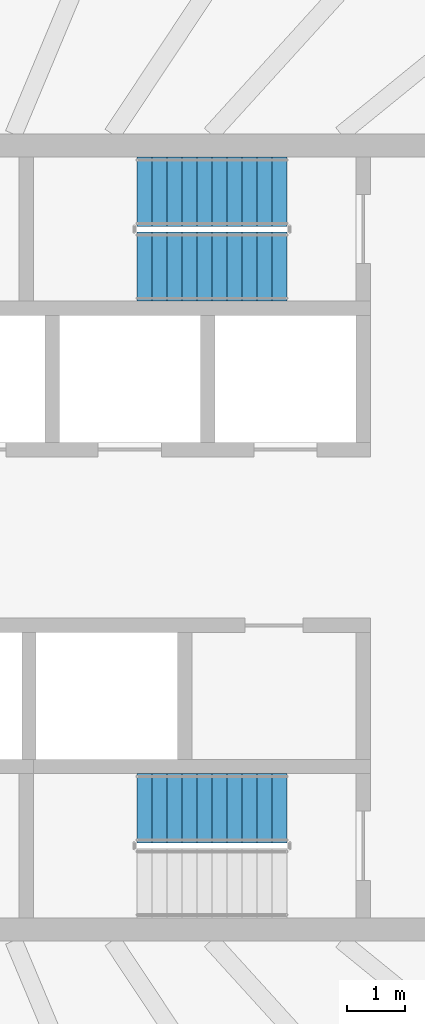
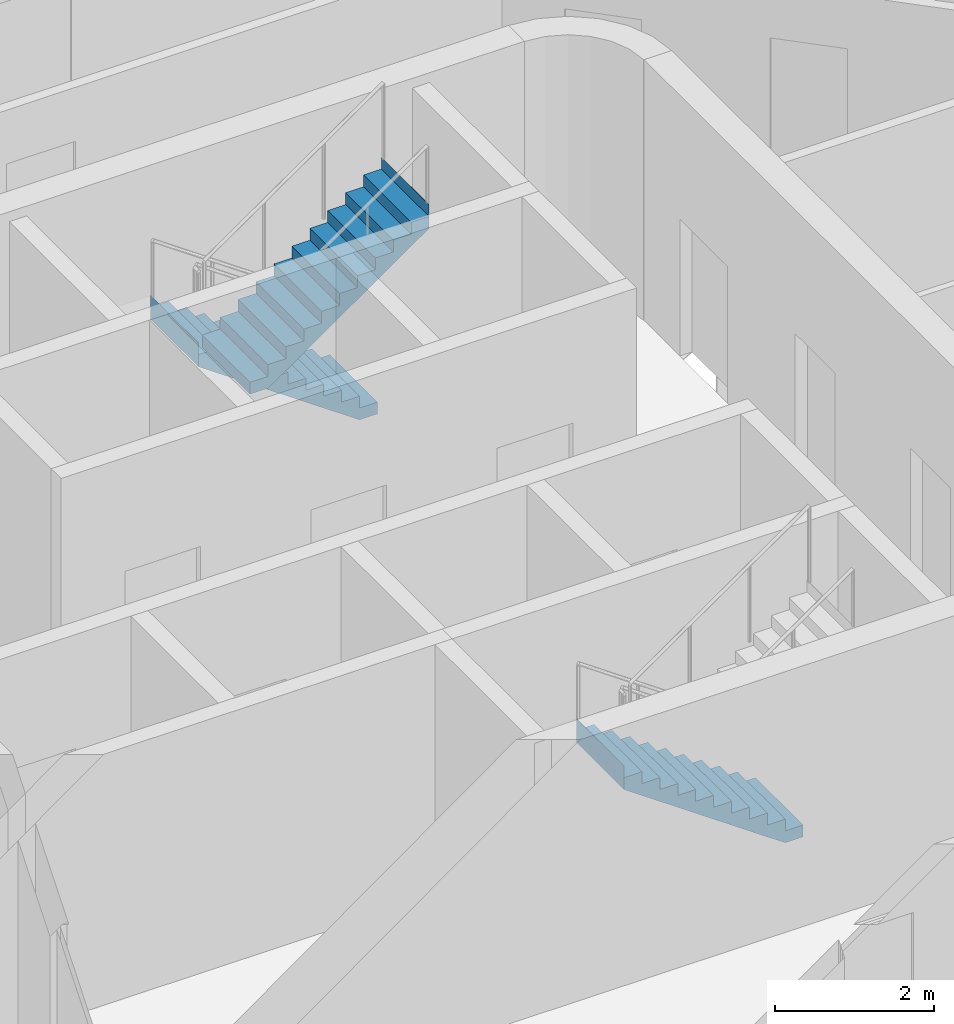
# One storey, part 16 of 22: 3 stair flights, 2 elements without a shape of their own.
"""IFC4 building model written with IfcOpenShell, lengths in metres."""

from ifc_helpers import new_model, si_unit, direction, frame, origin, place, context, subcontext, project, spatial, triangles, material, type_object, element, aggregate, save


model = new_model("IFC4")

# Units and contexts
model_context = context("Model", 3, precision=1e-05, world=origin(), true_north=direction((0.0, 1.0)))
body_context = subcontext(model_context, "Body", "Model", "MODEL_VIEW")
ifc_project = project(units=[si_unit("LENGTHUNIT", "METRE"), si_unit("AREAUNIT", "SQUARE_METRE"), si_unit("VOLUMEUNIT", "CUBIC_METRE"), si_unit("PLANEANGLEUNIT", "RADIAN"), si_unit("MASSUNIT", "GRAM", prefix="KILO")], contexts=[model_context])

# Site, building, storey
site_placement = place(None, origin())
site = spatial("IfcSite", under=ifc_project, at=site_placement, CompositionType="ELEMENT")
building_placement = place(site_placement, origin())
building = spatial("IfcBuilding", under=site, at=building_placement, Name="Sahrelin Media Tower", CompositionType="ELEMENT")
storey_placement = place(building_placement, frame((0.0, 0.0, 283.0)))
storey = spatial("IfcBuildingStorey", under=building, at=storey_placement, Name="L62", CompositionType="ELEMENT", Elevation=283.0)

# Stair, stair flights
ifc_material = material(Name="Concrete C40/50", Category="concrete")
stair_type = type_object("IfcStairType", Name="Exit stair 1200", PredefinedType="HALF_TURN_STAIR", material=ifc_material)
placement = place(storey_placement, origin())
stair_1 = element("IfcStair", 1, at=placement, inside=storey, type_object=stair_type, Name="L62 Exit stair ST3", PredefinedType="HALF_TURN_STAIR")
stair_flight_type = type_object("IfcStairFlightType", Name="Stair flight 1200", PredefinedType="STRAIGHT", material=ifc_material)
stair_flight_1_placement = place(storey_placement, frame((7.675048828125, 6.0, 0.0), z_axis=(0.0, 0.0, 1.0), x_axis=(-1.0, 0.0, 0.0)))
stair_flight_1 = element("IfcStairFlight", 2, at=stair_flight_1_placement, type_object=stair_flight_type, Name="ST3 flight 1", NumberOfRisers=11, NumberOfTreads=10, PredefinedType="STRAIGHT", RiserHeight=0.181818182, TreadLength=0.26, context=body_context, shape_type="Tessellation", body=[
    triangles([(0.261474609375, 0.60009765625, 0.0), (0.261474609375, 0.300048828125, 0.0), (0.261474609375, 0.0, 0.0), (0.261474609375, -0.300048828125, 0.0), (0.261474609375, -0.60009765625, 0.0), (2.60009765625, 0.60009765625, 1.63525390625), (2.60009765625, 0.300048828125, 1.63525390625), (2.60009765625, 0.0, 1.63525390625), (2.60009765625, -0.300048828125, 1.63525390625), (2.60009765625, -0.60009765625, 1.63525390625), (2.60009765625, 0.60009765625, 2.0), (2.60009765625, 0.300048828125, 2.0), (2.60009765625, 0.0, 2.0), (2.60009765625, -0.300048828125, 2.0), (2.60009765625, -0.60009765625, 2.0), (2.597900390625, 0.60009765625, 2.0), (2.597900390625, 0.300048828125, 2.0), (2.597900390625, 0.0, 2.0), (2.597900390625, -0.300048828125, 2.0), (2.597900390625, -0.60009765625, 2.0), (2.597900390625, 0.60009765625, 1.818115234375), (2.597900390625, 0.300048828125, 1.818115234375), (2.597900390625, 0.0, 1.818115234375), (2.597900390625, -0.300048828125, 1.818115234375), (2.597900390625, -0.60009765625, 1.818115234375), (2.340087890625, 0.60009765625, 1.818115234375), (2.340087890625, 0.300048828125, 1.818115234375), (2.340087890625, 0.0, 1.818115234375), (2.340087890625, -0.300048828125, 1.818115234375), (2.340087890625, -0.60009765625, 1.818115234375), (2.340087890625, 0.60009765625, 1.636474609375), (2.340087890625, 0.300048828125, 1.636474609375), (2.340087890625, 0.0, 1.636474609375), (2.340087890625, -0.300048828125, 1.636474609375), (2.340087890625, -0.60009765625, 1.636474609375), (2.080078125, 0.60009765625, 1.636474609375), (2.080078125, 0.300048828125, 1.636474609375), (2.080078125, 0.0, 1.636474609375), (2.080078125, -0.300048828125, 1.636474609375), (2.080078125, -0.60009765625, 1.636474609375), (2.080078125, 0.60009765625, 1.45458984375), (2.080078125, 0.300048828125, 1.45458984375), (2.080078125, 0.0, 1.45458984375), (2.080078125, -0.300048828125, 1.45458984375), (2.080078125, -0.60009765625, 1.45458984375), (1.820068359375, 0.60009765625, 1.45458984375), (1.820068359375, 0.300048828125, 1.45458984375), (1.820068359375, 0.0, 1.45458984375), (1.820068359375, -0.300048828125, 1.45458984375), (1.820068359375, -0.60009765625, 1.45458984375), (1.820068359375, 0.60009765625, 1.272705078125), (1.820068359375, 0.300048828125, 1.272705078125), (1.820068359375, 0.0, 1.272705078125), (1.820068359375, -0.300048828125, 1.272705078125), (1.820068359375, -0.60009765625, 1.272705078125), (1.56005859375, 0.60009765625, 1.272705078125), (1.56005859375, 0.300048828125, 1.272705078125), (1.56005859375, 0.0, 1.272705078125), (1.56005859375, -0.300048828125, 1.272705078125), (1.56005859375, -0.60009765625, 1.272705078125), (1.56005859375, 0.60009765625, 1.0908203125), (1.56005859375, 0.300048828125, 1.0908203125), (1.56005859375, 0.0, 1.0908203125), (1.56005859375, -0.300048828125, 1.0908203125), (1.56005859375, -0.60009765625, 1.0908203125), (1.300048828125, 0.60009765625, 1.0908203125), (1.300048828125, 0.300048828125, 1.0908203125), (1.300048828125, 0.0, 1.0908203125), (1.300048828125, -0.300048828125, 1.0908203125), (1.300048828125, -0.60009765625, 1.0908203125), (1.300048828125, 0.60009765625, 0.9091796875), (1.300048828125, 0.300048828125, 0.9091796875), (1.300048828125, 0.0, 0.9091796875), (1.300048828125, -0.300048828125, 0.9091796875), (1.300048828125, -0.60009765625, 0.9091796875), (1.0400390625, 0.60009765625, 0.9091796875), (1.0400390625, 0.300048828125, 0.9091796875), (1.0400390625, 0.0, 0.9091796875), (1.0400390625, -0.300048828125, 0.9091796875), (1.0400390625, -0.60009765625, 0.9091796875), (1.0400390625, 0.60009765625, 0.727294921875), (1.0400390625, 0.300048828125, 0.727294921875), (1.0400390625, 0.0, 0.727294921875), (1.0400390625, -0.300048828125, 0.727294921875), (1.0400390625, -0.60009765625, 0.727294921875), (0.780029296875, 0.60009765625, 0.727294921875), (0.780029296875, 0.300048828125, 0.727294921875), (0.780029296875, 0.0, 0.727294921875), (0.780029296875, -0.300048828125, 0.727294921875), (0.780029296875, -0.60009765625, 0.727294921875), (0.780029296875, 0.60009765625, 0.54541015625), (0.780029296875, 0.300048828125, 0.54541015625), (0.780029296875, 0.0, 0.54541015625), (0.780029296875, -0.300048828125, 0.54541015625), (0.780029296875, -0.60009765625, 0.54541015625), (0.52001953125, 0.60009765625, 0.54541015625), (0.52001953125, 0.300048828125, 0.54541015625), (0.52001953125, 0.0, 0.54541015625), (0.52001953125, -0.300048828125, 0.54541015625), (0.52001953125, -0.60009765625, 0.54541015625), (0.52001953125, 0.60009765625, 0.363525390625), (0.52001953125, 0.300048828125, 0.363525390625), (0.52001953125, 0.0, 0.363525390625), (0.52001953125, -0.300048828125, 0.363525390625), (0.52001953125, -0.60009765625, 0.363525390625), (0.260009765625, 0.60009765625, 0.363525390625), (0.260009765625, 0.300048828125, 0.363525390625), (0.260009765625, 0.0, 0.363525390625), (0.260009765625, -0.300048828125, 0.363525390625), (0.260009765625, -0.60009765625, 0.363525390625), (0.260009765625, 0.60009765625, 0.181884765625), (0.260009765625, 0.300048828125, 0.181884765625), (0.260009765625, 0.0, 0.181884765625), (0.260009765625, -0.300048828125, 0.181884765625), (0.260009765625, -0.60009765625, 0.181884765625), (0.0, 0.60009765625, 0.181884765625), (0.0, 0.300048828125, 0.181884765625), (0.0, 0.0, 0.181884765625), (0.0, -0.300048828125, 0.181884765625), (0.0, -0.60009765625, 0.181884765625), (0.0, 0.60009765625, 0.0), (0.0, 0.300048828125, 0.0), (0.0, 0.0, 0.0), (0.0, -0.300048828125, 0.0), (0.0, -0.60009765625, 0.0)], [[1, 6, 7], [1, 7, 2], [2, 7, 8], [2, 8, 3], [3, 8, 9], [3, 9, 4], [4, 9, 10], [4, 10, 5], [6, 11, 12], [6, 12, 7], [7, 12, 13], [7, 13, 8], [8, 13, 14], [8, 14, 9], [9, 14, 15], [9, 15, 10], [11, 16, 17], [11, 17, 12], [12, 17, 18], [12, 18, 13], [13, 18, 19], [13, 19, 14], [14, 19, 20], [14, 20, 15], [16, 21, 22], [16, 22, 17], [17, 22, 23], [17, 23, 18], [18, 23, 24], [18, 24, 19], [19, 24, 25], [19, 25, 20], [21, 26, 27], [21, 27, 22], [22, 27, 28], [22, 28, 23], [23, 28, 29], [23, 29, 24], [24, 29, 30], [24, 30, 25], [26, 31, 32], [26, 32, 27], [27, 32, 33], [27, 33, 28], [28, 33, 34], [28, 34, 29], [29, 34, 35], [29, 35, 30], [31, 36, 37], [31, 37, 32], [32, 37, 38], [32, 38, 33], [33, 38, 39], [33, 39, 34], [34, 39, 40], [34, 40, 35], [36, 41, 42], [36, 42, 37], [37, 42, 43], [37, 43, 38], [38, 43, 44], [38, 44, 39], [39, 44, 45], [39, 45, 40], [41, 46, 47], [41, 47, 42], [42, 47, 48], [42, 48, 43], [43, 48, 49], [43, 49, 44], [44, 49, 50], [44, 50, 45], [46, 51, 52], [46, 52, 47], [47, 52, 53], [47, 53, 48], [48, 53, 54], [48, 54, 49], [49, 54, 55], [49, 55, 50], [51, 56, 57], [51, 57, 52], [52, 57, 58], [52, 58, 53], [53, 58, 59], [53, 59, 54], [54, 59, 60], [54, 60, 55], [56, 61, 62], [56, 62, 57], [57, 62, 63], [57, 63, 58], [58, 63, 64], [58, 64, 59], [59, 64, 65], [59, 65, 60], [61, 66, 67], [61, 67, 62], [62, 67, 68], [62, 68, 63], [63, 68, 69], [63, 69, 64], [64, 69, 70], [64, 70, 65], [66, 71, 72], [66, 72, 67], [67, 72, 73], [67, 73, 68], [68, 73, 74], [68, 74, 69], [69, 74, 75], [69, 75, 70], [71, 76, 77], [71, 77, 72], [72, 77, 78], [72, 78, 73], [73, 78, 79], [73, 79, 74], [74, 79, 80], [74, 80, 75], [76, 81, 82], [76, 82, 77], [77, 82, 83], [77, 83, 78], [78, 83, 84], [78, 84, 79], [79, 84, 85], [79, 85, 80], [81, 86, 87], [81, 87, 82], [82, 87, 88], [82, 88, 83], [83, 88, 89], [83, 89, 84], [84, 89, 90], [84, 90, 85], [86, 91, 92], [86, 92, 87], [87, 92, 93], [87, 93, 88], [88, 93, 94], [88, 94, 89], [89, 94, 95], [89, 95, 90], [91, 96, 97], [91, 97, 92], [92, 97, 98], [92, 98, 93], [93, 98, 99], [93, 99, 94], [94, 99, 100], [94, 100, 95], [96, 101, 102], [96, 102, 97], [97, 102, 103], [97, 103, 98], [98, 103, 104], [98, 104, 99], [99, 104, 105], [99, 105, 100], [101, 106, 107], [101, 107, 102], [102, 107, 108], [102, 108, 103], [103, 108, 109], [103, 109, 104], [104, 109, 110], [104, 110, 105], [106, 111, 112], [106, 112, 107], [107, 112, 113], [107, 113, 108], [108, 113, 114], [108, 114, 109], [109, 114, 115], [109, 115, 110], [111, 116, 117], [111, 117, 112], [112, 117, 118], [112, 118, 113], [113, 118, 119], [113, 119, 114], [114, 119, 120], [114, 120, 115], [116, 121, 122], [116, 122, 117], [117, 122, 123], [117, 123, 118], [118, 123, 124], [118, 124, 119], [119, 124, 125], [119, 125, 120], [121, 1, 2], [121, 2, 122], [122, 2, 3], [122, 3, 123], [123, 3, 4], [123, 4, 124], [124, 4, 5], [124, 5, 125], [115, 120, 125], [111, 121, 116], [115, 105, 110], [111, 106, 101], [105, 95, 100], [101, 96, 91], [95, 85, 90], [91, 86, 81], [85, 75, 80], [81, 76, 71], [75, 65, 70], [71, 66, 61], [65, 55, 60], [61, 56, 51], [55, 45, 50], [51, 46, 41], [45, 35, 40], [41, 36, 31], [35, 25, 30], [31, 26, 21], [25, 15, 20], [21, 16, 11], [125, 5, 115], [121, 111, 1], [25, 10, 15], [21, 11, 6], [105, 115, 5], [101, 1, 111], [35, 10, 25], [31, 21, 6], [95, 105, 5], [91, 1, 101], [45, 10, 35], [41, 31, 6], [85, 95, 5], [81, 1, 91], [55, 10, 45], [51, 41, 6], [75, 85, 5], [71, 1, 81], [65, 10, 55], [61, 51, 6], [5, 10, 75], [1, 71, 6], [75, 10, 65], [71, 61, 6]], closed=True),
])
stair_flight_2_placement = place(storey_placement, frame((5.074951171875, 4.699951171875, 2.0), z_axis=(0.0, 0.0, 1.0), x_axis=(1.0, 0.0, 0.0)))
stair_flight_2 = element("IfcStairFlight", 3, at=stair_flight_2_placement, type_object=stair_flight_type, Name="ST3 flight 2", NumberOfRisers=11, NumberOfTreads=10, PredefinedType="STRAIGHT", RiserHeight=0.181818182, TreadLength=0.26, context=body_context, shape_type="Tessellation", body=[
    triangles([(0.261474609375, 0.60009765625, 0.0), (0.261474609375, 0.300048828125, 0.0), (0.261474609375, 0.0, 0.0), (0.261474609375, -0.300048828125, 0.0), (0.261474609375, -0.60009765625, 0.0), (2.60009765625, 0.60009765625, 1.63525390625), (2.60009765625, 0.300048828125, 1.63525390625), (2.60009765625, 0.0, 1.63525390625), (2.60009765625, -0.300048828125, 1.63525390625), (2.60009765625, -0.60009765625, 1.63525390625), (2.60009765625, 0.60009765625, 2.0), (2.60009765625, 0.300048828125, 2.0), (2.60009765625, 0.0, 2.0), (2.60009765625, -0.300048828125, 2.0), (2.60009765625, -0.60009765625, 2.0), (2.597900390625, 0.60009765625, 2.0), (2.597900390625, 0.300048828125, 2.0), (2.597900390625, 0.0, 2.0), (2.597900390625, -0.300048828125, 2.0), (2.597900390625, -0.60009765625, 2.0), (2.597900390625, 0.60009765625, 1.818115234375), (2.597900390625, 0.300048828125, 1.818115234375), (2.597900390625, 0.0, 1.818115234375), (2.597900390625, -0.300048828125, 1.818115234375), (2.597900390625, -0.60009765625, 1.818115234375), (2.340087890625, 0.60009765625, 1.818115234375), (2.340087890625, 0.300048828125, 1.818115234375), (2.340087890625, 0.0, 1.818115234375), (2.340087890625, -0.300048828125, 1.818115234375), (2.340087890625, -0.60009765625, 1.818115234375), (2.340087890625, 0.60009765625, 1.636474609375), (2.340087890625, 0.300048828125, 1.636474609375), (2.340087890625, 0.0, 1.636474609375), (2.340087890625, -0.300048828125, 1.636474609375), (2.340087890625, -0.60009765625, 1.636474609375), (2.080078125, 0.60009765625, 1.636474609375), (2.080078125, 0.300048828125, 1.636474609375), (2.080078125, 0.0, 1.636474609375), (2.080078125, -0.300048828125, 1.636474609375), (2.080078125, -0.60009765625, 1.636474609375), (2.080078125, 0.60009765625, 1.45458984375), (2.080078125, 0.300048828125, 1.45458984375), (2.080078125, 0.0, 1.45458984375), (2.080078125, -0.300048828125, 1.45458984375), (2.080078125, -0.60009765625, 1.45458984375), (1.820068359375, 0.60009765625, 1.45458984375), (1.820068359375, 0.300048828125, 1.45458984375), (1.820068359375, 0.0, 1.45458984375), (1.820068359375, -0.300048828125, 1.45458984375), (1.820068359375, -0.60009765625, 1.45458984375), (1.820068359375, 0.60009765625, 1.272705078125), (1.820068359375, 0.300048828125, 1.272705078125), (1.820068359375, 0.0, 1.272705078125), (1.820068359375, -0.300048828125, 1.272705078125), (1.820068359375, -0.60009765625, 1.272705078125), (1.56005859375, 0.60009765625, 1.272705078125), (1.56005859375, 0.300048828125, 1.272705078125), (1.56005859375, 0.0, 1.272705078125), (1.56005859375, -0.300048828125, 1.272705078125), (1.56005859375, -0.60009765625, 1.272705078125), (1.56005859375, 0.60009765625, 1.0908203125), (1.56005859375, 0.300048828125, 1.0908203125), (1.56005859375, 0.0, 1.0908203125), (1.56005859375, -0.300048828125, 1.0908203125), (1.56005859375, -0.60009765625, 1.0908203125), (1.300048828125, 0.60009765625, 1.0908203125), (1.300048828125, 0.300048828125, 1.0908203125), (1.300048828125, 0.0, 1.0908203125), (1.300048828125, -0.300048828125, 1.0908203125), (1.300048828125, -0.60009765625, 1.0908203125), (1.300048828125, 0.60009765625, 0.9091796875), (1.300048828125, 0.300048828125, 0.9091796875), (1.300048828125, 0.0, 0.9091796875), (1.300048828125, -0.300048828125, 0.9091796875), (1.300048828125, -0.60009765625, 0.9091796875), (1.0400390625, 0.60009765625, 0.9091796875), (1.0400390625, 0.300048828125, 0.9091796875), (1.0400390625, 0.0, 0.9091796875), (1.0400390625, -0.300048828125, 0.9091796875), (1.0400390625, -0.60009765625, 0.9091796875), (1.0400390625, 0.60009765625, 0.727294921875), (1.0400390625, 0.300048828125, 0.727294921875), (1.0400390625, 0.0, 0.727294921875), (1.0400390625, -0.300048828125, 0.727294921875), (1.0400390625, -0.60009765625, 0.727294921875), (0.780029296875, 0.60009765625, 0.727294921875), (0.780029296875, 0.300048828125, 0.727294921875), (0.780029296875, 0.0, 0.727294921875), (0.780029296875, -0.300048828125, 0.727294921875), (0.780029296875, -0.60009765625, 0.727294921875), (0.780029296875, 0.60009765625, 0.54541015625), (0.780029296875, 0.300048828125, 0.54541015625), (0.780029296875, 0.0, 0.54541015625), (0.780029296875, -0.300048828125, 0.54541015625), (0.780029296875, -0.60009765625, 0.54541015625), (0.52001953125, 0.60009765625, 0.54541015625), (0.52001953125, 0.300048828125, 0.54541015625), (0.52001953125, 0.0, 0.54541015625), (0.52001953125, -0.300048828125, 0.54541015625), (0.52001953125, -0.60009765625, 0.54541015625), (0.52001953125, 0.60009765625, 0.363525390625), (0.52001953125, 0.300048828125, 0.363525390625), (0.52001953125, 0.0, 0.363525390625), (0.52001953125, -0.300048828125, 0.363525390625), (0.52001953125, -0.60009765625, 0.363525390625), (0.260009765625, 0.60009765625, 0.363525390625), (0.260009765625, 0.300048828125, 0.363525390625), (0.260009765625, 0.0, 0.363525390625), (0.260009765625, -0.300048828125, 0.363525390625), (0.260009765625, -0.60009765625, 0.363525390625), (0.260009765625, 0.60009765625, 0.181884765625), (0.260009765625, 0.300048828125, 0.181884765625), (0.260009765625, 0.0, 0.181884765625), (0.260009765625, -0.300048828125, 0.181884765625), (0.260009765625, -0.60009765625, 0.181884765625), (0.0, 0.60009765625, 0.181884765625), (0.0, 0.300048828125, 0.181884765625), (0.0, 0.0, 0.181884765625), (0.0, -0.300048828125, 0.181884765625), (0.0, -0.60009765625, 0.181884765625), (0.0, 0.60009765625, 0.0), (0.0, 0.300048828125, 0.0), (0.0, 0.0, 0.0), (0.0, -0.300048828125, 0.0), (0.0, -0.60009765625, 0.0)], [[1, 6, 7], [1, 7, 2], [2, 7, 8], [2, 8, 3], [3, 8, 9], [3, 9, 4], [4, 9, 10], [4, 10, 5], [6, 11, 12], [6, 12, 7], [7, 12, 13], [7, 13, 8], [8, 13, 14], [8, 14, 9], [9, 14, 15], [9, 15, 10], [11, 16, 17], [11, 17, 12], [12, 17, 18], [12, 18, 13], [13, 18, 19], [13, 19, 14], [14, 19, 20], [14, 20, 15], [16, 21, 22], [16, 22, 17], [17, 22, 23], [17, 23, 18], [18, 23, 24], [18, 24, 19], [19, 24, 25], [19, 25, 20], [21, 26, 27], [21, 27, 22], [22, 27, 28], [22, 28, 23], [23, 28, 29], [23, 29, 24], [24, 29, 30], [24, 30, 25], [26, 31, 32], [26, 32, 27], [27, 32, 33], [27, 33, 28], [28, 33, 34], [28, 34, 29], [29, 34, 35], [29, 35, 30], [31, 36, 37], [31, 37, 32], [32, 37, 38], [32, 38, 33], [33, 38, 39], [33, 39, 34], [34, 39, 40], [34, 40, 35], [36, 41, 42], [36, 42, 37], [37, 42, 43], [37, 43, 38], [38, 43, 44], [38, 44, 39], [39, 44, 45], [39, 45, 40], [41, 46, 47], [41, 47, 42], [42, 47, 48], [42, 48, 43], [43, 48, 49], [43, 49, 44], [44, 49, 50], [44, 50, 45], [46, 51, 52], [46, 52, 47], [47, 52, 53], [47, 53, 48], [48, 53, 54], [48, 54, 49], [49, 54, 55], [49, 55, 50], [51, 56, 57], [51, 57, 52], [52, 57, 58], [52, 58, 53], [53, 58, 59], [53, 59, 54], [54, 59, 60], [54, 60, 55], [56, 61, 62], [56, 62, 57], [57, 62, 63], [57, 63, 58], [58, 63, 64], [58, 64, 59], [59, 64, 65], [59, 65, 60], [61, 66, 67], [61, 67, 62], [62, 67, 68], [62, 68, 63], [63, 68, 69], [63, 69, 64], [64, 69, 70], [64, 70, 65], [66, 71, 72], [66, 72, 67], [67, 72, 73], [67, 73, 68], [68, 73, 74], [68, 74, 69], [69, 74, 75], [69, 75, 70], [71, 76, 77], [71, 77, 72], [72, 77, 78], [72, 78, 73], [73, 78, 79], [73, 79, 74], [74, 79, 80], [74, 80, 75], [76, 81, 82], [76, 82, 77], [77, 82, 83], [77, 83, 78], [78, 83, 84], [78, 84, 79], [79, 84, 85], [79, 85, 80], [81, 86, 87], [81, 87, 82], [82, 87, 88], [82, 88, 83], [83, 88, 89], [83, 89, 84], [84, 89, 90], [84, 90, 85], [86, 91, 92], [86, 92, 87], [87, 92, 93], [87, 93, 88], [88, 93, 94], [88, 94, 89], [89, 94, 95], [89, 95, 90], [91, 96, 97], [91, 97, 92], [92, 97, 98], [92, 98, 93], [93, 98, 99], [93, 99, 94], [94, 99, 100], [94, 100, 95], [96, 101, 102], [96, 102, 97], [97, 102, 103], [97, 103, 98], [98, 103, 104], [98, 104, 99], [99, 104, 105], [99, 105, 100], [101, 106, 107], [101, 107, 102], [102, 107, 108], [102, 108, 103], [103, 108, 109], [103, 109, 104], [104, 109, 110], [104, 110, 105], [106, 111, 112], [106, 112, 107], [107, 112, 113], [107, 113, 108], [108, 113, 114], [108, 114, 109], [109, 114, 115], [109, 115, 110], [111, 116, 117], [111, 117, 112], [112, 117, 118], [112, 118, 113], [113, 118, 119], [113, 119, 114], [114, 119, 120], [114, 120, 115], [116, 121, 122], [116, 122, 117], [117, 122, 123], [117, 123, 118], [118, 123, 124], [118, 124, 119], [119, 124, 125], [119, 125, 120], [121, 1, 2], [121, 2, 122], [122, 2, 3], [122, 3, 123], [123, 3, 4], [123, 4, 124], [124, 4, 5], [124, 5, 125], [115, 120, 125], [111, 121, 116], [115, 105, 110], [111, 106, 101], [105, 95, 100], [101, 96, 91], [95, 85, 90], [91, 86, 81], [85, 75, 80], [81, 76, 71], [75, 65, 70], [71, 66, 61], [65, 55, 60], [61, 56, 51], [55, 45, 50], [51, 46, 41], [45, 35, 40], [41, 36, 31], [35, 25, 30], [31, 26, 21], [25, 15, 20], [21, 16, 11], [125, 5, 115], [121, 111, 1], [25, 10, 15], [21, 11, 6], [105, 115, 5], [101, 1, 111], [35, 10, 25], [31, 21, 6], [95, 105, 5], [91, 1, 101], [45, 10, 35], [41, 31, 6], [85, 95, 5], [81, 1, 91], [55, 10, 45], [51, 41, 6], [75, 85, 5], [71, 1, 81], [65, 10, 55], [61, 51, 6], [5, 10, 75], [1, 71, 6], [75, 10, 65], [71, 61, 6]], closed=True),
])
aggregate(stair_1, [stair_flight_1, stair_flight_2])

# Stair, stair flight
stair_2 = element("IfcStair", 4, at=placement, inside=storey, type_object=stair_type, Name="L62 Exit stair ST2", PredefinedType="HALF_TURN_STAIR")
stair_flight_3_placement = place(storey_placement, frame((7.675048828125, -4.699951171875, 0.0), z_axis=(0.0, 0.0, 1.0), x_axis=(-1.0, 0.0, 0.0)))
stair_flight_3 = element("IfcStairFlight", 5, at=stair_flight_3_placement, type_object=stair_flight_type, Name="ST2 flight 1", NumberOfRisers=11, NumberOfTreads=10, PredefinedType="STRAIGHT", RiserHeight=0.181818182, TreadLength=0.26, context=body_context, shape_type="Tessellation", body=[
    triangles([(0.261474609375, 0.60009765625, 0.0), (0.261474609375, 0.300048828125, 0.0), (0.261474609375, 0.0, 0.0), (0.261474609375, -0.300048828125, 0.0), (0.261474609375, -0.60009765625, 0.0), (2.60009765625, 0.60009765625, 1.63525390625), (2.60009765625, 0.300048828125, 1.63525390625), (2.60009765625, 0.0, 1.63525390625), (2.60009765625, -0.300048828125, 1.63525390625), (2.60009765625, -0.60009765625, 1.63525390625), (2.60009765625, 0.60009765625, 2.0), (2.60009765625, 0.300048828125, 2.0), (2.60009765625, 0.0, 2.0), (2.60009765625, -0.300048828125, 2.0), (2.60009765625, -0.60009765625, 2.0), (2.597900390625, 0.60009765625, 2.0), (2.597900390625, 0.300048828125, 2.0), (2.597900390625, 0.0, 2.0), (2.597900390625, -0.300048828125, 2.0), (2.597900390625, -0.60009765625, 2.0), (2.597900390625, 0.60009765625, 1.818115234375), (2.597900390625, 0.300048828125, 1.818115234375), (2.597900390625, 0.0, 1.818115234375), (2.597900390625, -0.300048828125, 1.818115234375), (2.597900390625, -0.60009765625, 1.818115234375), (2.340087890625, 0.60009765625, 1.818115234375), (2.340087890625, 0.300048828125, 1.818115234375), (2.340087890625, 0.0, 1.818115234375), (2.340087890625, -0.300048828125, 1.818115234375), (2.340087890625, -0.60009765625, 1.818115234375), (2.340087890625, 0.60009765625, 1.636474609375), (2.340087890625, 0.300048828125, 1.636474609375), (2.340087890625, 0.0, 1.636474609375), (2.340087890625, -0.300048828125, 1.636474609375), (2.340087890625, -0.60009765625, 1.636474609375), (2.080078125, 0.60009765625, 1.636474609375), (2.080078125, 0.300048828125, 1.636474609375), (2.080078125, 0.0, 1.636474609375), (2.080078125, -0.300048828125, 1.636474609375), (2.080078125, -0.60009765625, 1.636474609375), (2.080078125, 0.60009765625, 1.45458984375), (2.080078125, 0.300048828125, 1.45458984375), (2.080078125, 0.0, 1.45458984375), (2.080078125, -0.300048828125, 1.45458984375), (2.080078125, -0.60009765625, 1.45458984375), (1.820068359375, 0.60009765625, 1.45458984375), (1.820068359375, 0.300048828125, 1.45458984375), (1.820068359375, 0.0, 1.45458984375), (1.820068359375, -0.300048828125, 1.45458984375), (1.820068359375, -0.60009765625, 1.45458984375), (1.820068359375, 0.60009765625, 1.272705078125), (1.820068359375, 0.300048828125, 1.272705078125), (1.820068359375, 0.0, 1.272705078125), (1.820068359375, -0.300048828125, 1.272705078125), (1.820068359375, -0.60009765625, 1.272705078125), (1.56005859375, 0.60009765625, 1.272705078125), (1.56005859375, 0.300048828125, 1.272705078125), (1.56005859375, 0.0, 1.272705078125), (1.56005859375, -0.300048828125, 1.272705078125), (1.56005859375, -0.60009765625, 1.272705078125), (1.56005859375, 0.60009765625, 1.0908203125), (1.56005859375, 0.300048828125, 1.0908203125), (1.56005859375, 0.0, 1.0908203125), (1.56005859375, -0.300048828125, 1.0908203125), (1.56005859375, -0.60009765625, 1.0908203125), (1.300048828125, 0.60009765625, 1.0908203125), (1.300048828125, 0.300048828125, 1.0908203125), (1.300048828125, 0.0, 1.0908203125), (1.300048828125, -0.300048828125, 1.0908203125), (1.300048828125, -0.60009765625, 1.0908203125), (1.300048828125, 0.60009765625, 0.9091796875), (1.300048828125, 0.300048828125, 0.9091796875), (1.300048828125, 0.0, 0.9091796875), (1.300048828125, -0.300048828125, 0.9091796875), (1.300048828125, -0.60009765625, 0.9091796875), (1.0400390625, 0.60009765625, 0.9091796875), (1.0400390625, 0.300048828125, 0.9091796875), (1.0400390625, 0.0, 0.9091796875), (1.0400390625, -0.300048828125, 0.9091796875), (1.0400390625, -0.60009765625, 0.9091796875), (1.0400390625, 0.60009765625, 0.727294921875), (1.0400390625, 0.300048828125, 0.727294921875), (1.0400390625, 0.0, 0.727294921875), (1.0400390625, -0.300048828125, 0.727294921875), (1.0400390625, -0.60009765625, 0.727294921875), (0.780029296875, 0.60009765625, 0.727294921875), (0.780029296875, 0.300048828125, 0.727294921875), (0.780029296875, 0.0, 0.727294921875), (0.780029296875, -0.300048828125, 0.727294921875), (0.780029296875, -0.60009765625, 0.727294921875), (0.780029296875, 0.60009765625, 0.54541015625), (0.780029296875, 0.300048828125, 0.54541015625), (0.780029296875, 0.0, 0.54541015625), (0.780029296875, -0.300048828125, 0.54541015625), (0.780029296875, -0.60009765625, 0.54541015625), (0.52001953125, 0.60009765625, 0.54541015625), (0.52001953125, 0.300048828125, 0.54541015625), (0.52001953125, 0.0, 0.54541015625), (0.52001953125, -0.300048828125, 0.54541015625), (0.52001953125, -0.60009765625, 0.54541015625), (0.52001953125, 0.60009765625, 0.363525390625), (0.52001953125, 0.300048828125, 0.363525390625), (0.52001953125, 0.0, 0.363525390625), (0.52001953125, -0.300048828125, 0.363525390625), (0.52001953125, -0.60009765625, 0.363525390625), (0.260009765625, 0.60009765625, 0.363525390625), (0.260009765625, 0.300048828125, 0.363525390625), (0.260009765625, 0.0, 0.363525390625), (0.260009765625, -0.300048828125, 0.363525390625), (0.260009765625, -0.60009765625, 0.363525390625), (0.260009765625, 0.60009765625, 0.181884765625), (0.260009765625, 0.300048828125, 0.181884765625), (0.260009765625, 0.0, 0.181884765625), (0.260009765625, -0.300048828125, 0.181884765625), (0.260009765625, -0.60009765625, 0.181884765625), (0.0, 0.60009765625, 0.181884765625), (0.0, 0.300048828125, 0.181884765625), (0.0, 0.0, 0.181884765625), (0.0, -0.300048828125, 0.181884765625), (0.0, -0.60009765625, 0.181884765625), (0.0, 0.60009765625, 0.0), (0.0, 0.300048828125, 0.0), (0.0, 0.0, 0.0), (0.0, -0.300048828125, 0.0), (0.0, -0.60009765625, 0.0)], [[1, 6, 7], [1, 7, 2], [2, 7, 8], [2, 8, 3], [3, 8, 9], [3, 9, 4], [4, 9, 10], [4, 10, 5], [6, 11, 12], [6, 12, 7], [7, 12, 13], [7, 13, 8], [8, 13, 14], [8, 14, 9], [9, 14, 15], [9, 15, 10], [11, 16, 17], [11, 17, 12], [12, 17, 18], [12, 18, 13], [13, 18, 19], [13, 19, 14], [14, 19, 20], [14, 20, 15], [16, 21, 22], [16, 22, 17], [17, 22, 23], [17, 23, 18], [18, 23, 24], [18, 24, 19], [19, 24, 25], [19, 25, 20], [21, 26, 27], [21, 27, 22], [22, 27, 28], [22, 28, 23], [23, 28, 29], [23, 29, 24], [24, 29, 30], [24, 30, 25], [26, 31, 32], [26, 32, 27], [27, 32, 33], [27, 33, 28], [28, 33, 34], [28, 34, 29], [29, 34, 35], [29, 35, 30], [31, 36, 37], [31, 37, 32], [32, 37, 38], [32, 38, 33], [33, 38, 39], [33, 39, 34], [34, 39, 40], [34, 40, 35], [36, 41, 42], [36, 42, 37], [37, 42, 43], [37, 43, 38], [38, 43, 44], [38, 44, 39], [39, 44, 45], [39, 45, 40], [41, 46, 47], [41, 47, 42], [42, 47, 48], [42, 48, 43], [43, 48, 49], [43, 49, 44], [44, 49, 50], [44, 50, 45], [46, 51, 52], [46, 52, 47], [47, 52, 53], [47, 53, 48], [48, 53, 54], [48, 54, 49], [49, 54, 55], [49, 55, 50], [51, 56, 57], [51, 57, 52], [52, 57, 58], [52, 58, 53], [53, 58, 59], [53, 59, 54], [54, 59, 60], [54, 60, 55], [56, 61, 62], [56, 62, 57], [57, 62, 63], [57, 63, 58], [58, 63, 64], [58, 64, 59], [59, 64, 65], [59, 65, 60], [61, 66, 67], [61, 67, 62], [62, 67, 68], [62, 68, 63], [63, 68, 69], [63, 69, 64], [64, 69, 70], [64, 70, 65], [66, 71, 72], [66, 72, 67], [67, 72, 73], [67, 73, 68], [68, 73, 74], [68, 74, 69], [69, 74, 75], [69, 75, 70], [71, 76, 77], [71, 77, 72], [72, 77, 78], [72, 78, 73], [73, 78, 79], [73, 79, 74], [74, 79, 80], [74, 80, 75], [76, 81, 82], [76, 82, 77], [77, 82, 83], [77, 83, 78], [78, 83, 84], [78, 84, 79], [79, 84, 85], [79, 85, 80], [81, 86, 87], [81, 87, 82], [82, 87, 88], [82, 88, 83], [83, 88, 89], [83, 89, 84], [84, 89, 90], [84, 90, 85], [86, 91, 92], [86, 92, 87], [87, 92, 93], [87, 93, 88], [88, 93, 94], [88, 94, 89], [89, 94, 95], [89, 95, 90], [91, 96, 97], [91, 97, 92], [92, 97, 98], [92, 98, 93], [93, 98, 99], [93, 99, 94], [94, 99, 100], [94, 100, 95], [96, 101, 102], [96, 102, 97], [97, 102, 103], [97, 103, 98], [98, 103, 104], [98, 104, 99], [99, 104, 105], [99, 105, 100], [101, 106, 107], [101, 107, 102], [102, 107, 108], [102, 108, 103], [103, 108, 109], [103, 109, 104], [104, 109, 110], [104, 110, 105], [106, 111, 112], [106, 112, 107], [107, 112, 113], [107, 113, 108], [108, 113, 114], [108, 114, 109], [109, 114, 115], [109, 115, 110], [111, 116, 117], [111, 117, 112], [112, 117, 118], [112, 118, 113], [113, 118, 119], [113, 119, 114], [114, 119, 120], [114, 120, 115], [116, 121, 122], [116, 122, 117], [117, 122, 123], [117, 123, 118], [118, 123, 124], [118, 124, 119], [119, 124, 125], [119, 125, 120], [121, 1, 2], [121, 2, 122], [122, 2, 3], [122, 3, 123], [123, 3, 4], [123, 4, 124], [124, 4, 5], [124, 5, 125], [115, 120, 125], [111, 121, 116], [115, 105, 110], [111, 106, 101], [105, 95, 100], [101, 96, 91], [95, 85, 90], [91, 86, 81], [85, 75, 80], [81, 76, 71], [75, 65, 70], [71, 66, 61], [65, 55, 60], [61, 56, 51], [55, 45, 50], [51, 46, 41], [45, 35, 40], [41, 36, 31], [35, 25, 30], [31, 26, 21], [25, 15, 20], [21, 16, 11], [125, 5, 115], [121, 111, 1], [25, 10, 15], [21, 11, 6], [105, 115, 5], [101, 1, 111], [35, 10, 25], [31, 21, 6], [95, 105, 5], [91, 1, 101], [45, 10, 35], [41, 31, 6], [85, 95, 5], [81, 1, 91], [55, 10, 45], [51, 41, 6], [75, 85, 5], [71, 1, 81], [65, 10, 55], [61, 51, 6], [5, 10, 75], [1, 71, 6], [75, 10, 65], [71, 61, 6]], closed=True),
])
aggregate(stair_2, [stair_flight_3])

save(model, "model.ifc")
